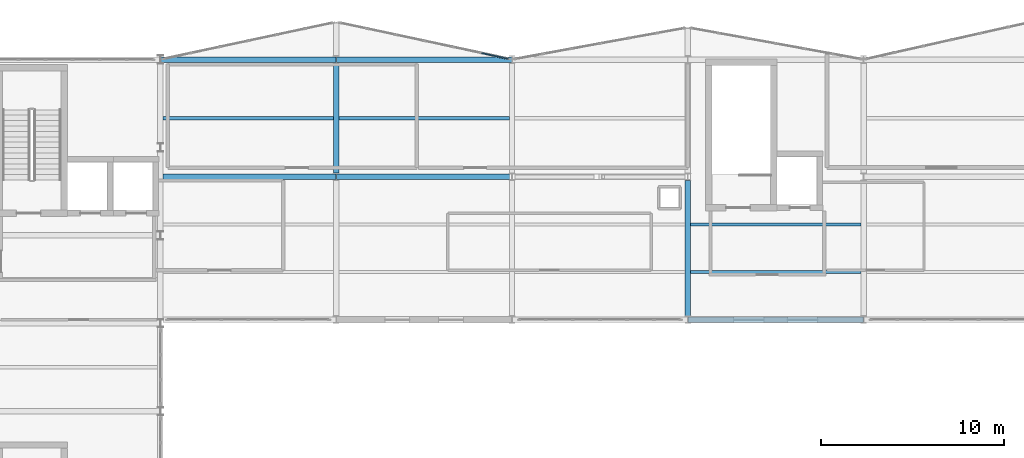
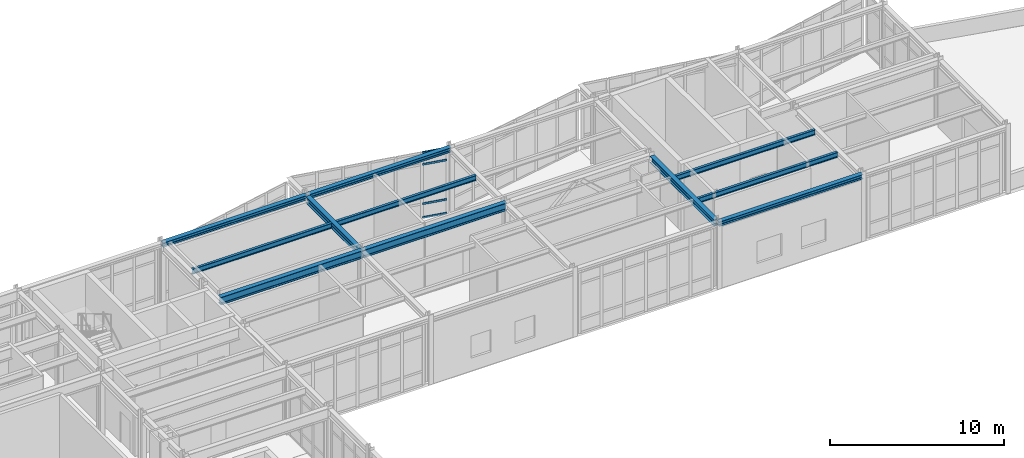
# One storey, part 11 of 28: 11 beams, 4 members, 1 element without a shape of its own.
"""IFC4 building model written with IfcOpenShell, lengths in metres."""

from ifc_helpers import new_model, si_unit, direction, frame, origin, origin_2d, place, context, subcontext, project, spatial, rectangle, i_section, extrude, material, layer, layer_set, material_profile, profile_set, type_object, element, aggregate, save


model = new_model("IFC4")

# Units and contexts
model_context = context("Model", 3, precision=1e-05, world=origin(), true_north=direction((0.0, 1.0)))
body_context = subcontext(model_context, "Body", "Model", "MODEL_VIEW")
ifc_project = project(units=[si_unit("LENGTHUNIT", "METRE"), si_unit("AREAUNIT", "SQUARE_METRE"), si_unit("VOLUMEUNIT", "CUBIC_METRE"), si_unit("PLANEANGLEUNIT", "RADIAN"), si_unit("MASSUNIT", "GRAM", prefix="KILO")], contexts=[model_context])

# Site, building, storey
site_placement = place(None, origin())
site = spatial("IfcSite", under=ifc_project, at=site_placement, CompositionType="ELEMENT")
building_placement = place(site_placement, origin())
building = spatial("IfcBuilding", under=site, at=building_placement, Name="Nordkorset Police Headquarters", CompositionType="ELEMENT")
storey_placement = place(building_placement, frame((0.0, 0.0, 26.25)))
storey = spatial("IfcBuildingStorey", under=building, at=storey_placement, Name="L06", CompositionType="ELEMENT", Elevation=26.25)

# Beams
ifc_material_1 = material(Name="Steel S355J2", Category="steel")
ifc_material_profile_1 = material_profile(ifc_material_1, i_section(OverallWidth=0.169921875, OverallDepth=0.360107421875, WebThickness=0.008056640625, FlangeThickness=0.0126953125, FilletRadius=0.01806640625, at=origin_2d()), Name="IPE 360")
ifc_profile_set_1 = profile_set([ifc_material_profile_1], Name="Steel S355J2")
beam_type_1 = type_object("IfcBeamType", Name="Beam_IPE_360", PredefinedType="BEAM", material=ifc_profile_set_1)
for number, where, z_axis, x_axis, name in (
    (1, (28.949951171875, 113.60009765625, 4.485107421875), (1.0, 0.0, 0.0), (0.0, 1.0, 0.0), "Composite Floor Beam V2 L06 0-1-1"),
    (2, (38.550048828125, 113.60009765625, 4.485107421875), (1.0, 0.0, 0.0), (0.0, 1.0, 0.0), "Composite Floor Beam V2 L06 1-1-1"),
    (3, (57.75, 105.199951171875, 4.485107421875), (1.0, 0.0, 0.0), (0.0, 1.0, 0.0), "Composite Floor Beam V2 L06 3-0-1"),
    (4, (57.75, 107.800048828125, 4.485107421875), (1.0, 0.0, 0.0), (0.0, 1.0, 0.0), "Composite Floor Beam V2 L06 3-0-2"),
):
    element("IfcBeam", number, at=place(storey_placement, frame(where, z_axis=z_axis, x_axis=x_axis)), inside=storey, type_object=beam_type_1, Name=name, PredefinedType="BEAM", context=body_context, shape_type="SweptSolid", body=[
        extrude(i_section(OverallWidth=0.169921875, OverallDepth=0.360107421875, WebThickness=0.008056640625, FlangeThickness=0.0126953125, FilletRadius=0.01806640625, at=origin_2d()), origin(), (0.0, 0.0, 1.0), 9.300048828125),
    ])

# Curtain wall, members
ifc_material_2 = material(Name="Aluminium alloy AW-6060", Category="aluminium")
ifc_layer = layer(ifc_material_2, 0.179931640625, Name="Aluminium alloy AW-6060")
ifc_layer_set = layer_set([ifc_layer], Name="Aluminium alloy AW-6060")
curtain_wall_type = type_object("IfcCurtainWallType", Name="CW_Unit_954x462", PredefinedType="USERDEFINED", material=ifc_layer_set)
curtain_wall_placement = place(storey_placement, origin())
curtain_wall = element("IfcCurtainWall", 5, at=curtain_wall_placement, inside=storey, type_object=curtain_wall_type, Name="Unitised Curtain Wall L06 V2N-1", ObjectType="UNITISED CURTAIN WALL", PredefinedType="USERDEFINED")
ifc_material_3 = material(Name="Aluminium alloy AW-6060", Category="aluminium")
ifc_material_profile_2 = material_profile(ifc_material_3, rectangle(XDim=0.06494140625, YDim=0.139892578125, at=origin_2d()), Name="ALU TRAN 65x140")
ifc_profile_set_2 = profile_set([ifc_material_profile_2], Name="Aluminium alloy AW-6060")
member_type = type_object("IfcMemberType", Name="CW_Transom_65x140", PredefinedType="USERDEFINED", material=ifc_profile_set_2)
member_1_placement = place(storey_placement, frame((46.340576171875, 117.154296875, 0.032470703125), z_axis=(0.977955422008, -0.208813774846, 0.0), x_axis=(0.208813774846, 0.977955422008, 0.0)))
member_1 = element("IfcMember", 6, at=member_1_placement, type_object=member_type, Name="CW-88 transom 6.1", ObjectType="TRANSOM", PredefinedType="USERDEFINED", context=body_context, shape_type="SweptSolid", body=[
    extrude(rectangle(XDim=0.06494140625, YDim=0.139892578125, at=origin_2d()), origin(), (0.0, 0.0, 1.0), 1.491943359375),
])
member_2_placement = place(storey_placement, frame((46.340576171875, 117.154296875, 1.0), z_axis=(0.977955422008, -0.208813774846, 0.0), x_axis=(0.208813774846, 0.977955422008, 0.0)))
member_2 = element("IfcMember", 7, at=member_2_placement, type_object=member_type, Name="CW-88 transom 6.2", ObjectType="TRANSOM", PredefinedType="USERDEFINED", context=body_context, shape_type="SweptSolid", body=[
    extrude(rectangle(XDim=0.06494140625, YDim=0.139892578125, at=origin_2d()), origin(), (0.0, 0.0, 1.0), 1.491943359375),
])
member_3_placement = place(storey_placement, frame((46.340576171875, 117.154296875, 3.77001953125), z_axis=(0.977955422008, -0.208813774846, 0.0), x_axis=(0.208813774846, 0.977955422008, 0.0)))
member_3 = element("IfcMember", 8, at=member_3_placement, type_object=member_type, Name="CW-88 transom 6.3", ObjectType="TRANSOM", PredefinedType="USERDEFINED", context=body_context, shape_type="SweptSolid", body=[
    extrude(rectangle(XDim=0.06494140625, YDim=0.139892578125, at=origin_2d()), origin(), (0.0, 0.0, 1.0), 1.491943359375),
])
member_4_placement = place(storey_placement, frame((46.340576171875, 117.154296875, 4.58740234375), z_axis=(0.977955422008, -0.208813774846, 0.0), x_axis=(0.208813774846, 0.977955422008, 0.0)))
member_4 = element("IfcMember", 9, at=member_4_placement, type_object=member_type, Name="CW-88 transom 6.4", ObjectType="TRANSOM", PredefinedType="USERDEFINED", context=body_context, shape_type="SweptSolid", body=[
    extrude(rectangle(XDim=0.06494140625, YDim=0.139892578125, at=origin_2d()), origin(), (0.0, 0.0, 1.0), 1.491943359375),
])
aggregate(curtain_wall, [member_1, member_2, member_3, member_4])

# Beams
ifc_material_4 = material(Name="Steel S355J2", Category="steel")
ifc_material_profile_3 = material_profile(ifc_material_4, i_section(OverallWidth=0.300048828125, OverallDepth=0.43994140625, WebThickness=0.011474609375, FlangeThickness=0.02099609375, FilletRadius=0.027099609375, at=origin_2d()), Name="HEA 450")
ifc_profile_set_3 = profile_set([ifc_material_profile_3], Name="Steel S355J2")
beam_type_2 = type_object("IfcBeamType", Name="Girder_HEA_450", PredefinedType="USERDEFINED", material=ifc_profile_set_3)
beam_1_placement = place(storey_placement, frame((38.39990234375, 110.60009765625, 4.445068359375), z_axis=(0.0, 1.0, 0.0), x_axis=(-1.0, 0.0, 0.0)))
element("IfcBeam", 10, at=beam_1_placement, inside=storey, type_object=beam_type_2, Name="Girder V2 L06 GY-1-1", ObjectType="GIRDER", PredefinedType="USERDEFINED", context=body_context, shape_type="SweptSolid", body=[
    extrude(i_section(OverallWidth=0.300048828125, OverallDepth=0.43994140625, WebThickness=0.011474609375, FlangeThickness=0.02099609375, FilletRadius=0.027099609375, at=origin_2d()), origin(), (0.0, 0.0, 1.0), 6.0),
])
beam_2_placement = place(storey_placement, frame((57.60009765625, 102.800048828125, 4.445068359375), z_axis=(0.0, 1.0, 0.0), x_axis=(-1.0, 0.0, 0.0)))
element("IfcBeam", 11, at=beam_2_placement, inside=storey, type_object=beam_type_2, Name="Girder V2 L06 GY-3-0", ObjectType="GIRDER", PredefinedType="USERDEFINED", context=body_context, shape_type="SweptSolid", body=[
    extrude(i_section(OverallWidth=0.300048828125, OverallDepth=0.43994140625, WebThickness=0.011474609375, FlangeThickness=0.02099609375, FilletRadius=0.027099609375, at=origin_2d()), origin(), (0.0, 0.0, 1.0), 7.39990234375),
])
ifc_material_5 = material(Name="Steel S355J2", Category="steel")
ifc_material_profile_4 = material_profile(ifc_material_5, i_section(OverallWidth=0.300048828125, OverallDepth=0.5400390625, WebThickness=0.012451171875, FlangeThickness=0.02392578125, FilletRadius=0.027099609375, at=origin_2d()), Name="HEA 550")
ifc_profile_set_4 = profile_set([ifc_material_profile_4], Name="Steel S355J2")
beam_type_3 = type_object("IfcBeamType", Name="Girder_HEA_550", PredefinedType="USERDEFINED", material=ifc_profile_set_4)
beam_3_placement = place(storey_placement, frame((28.949951171875, 110.39990234375, 4.39501953125), z_axis=(1.0, 0.0, 0.0), x_axis=(0.0, 1.0, 0.0)))
element("IfcBeam", 12, at=beam_3_placement, inside=storey, type_object=beam_type_3, Name="Girder V2 L06 GX-1-0", ObjectType="GIRDER", PredefinedType="USERDEFINED", context=body_context, shape_type="SweptSolid", body=[
    extrude(i_section(OverallWidth=0.300048828125, OverallDepth=0.5400390625, WebThickness=0.012451171875, FlangeThickness=0.02392578125, FilletRadius=0.027099609375, at=origin_2d()), origin(), (0.0, 0.0, 1.0), 9.443359375),
])
beam_4_placement = place(storey_placement, frame((38.40673828125, 110.39990234375, 4.39501953125), z_axis=(1.0, 0.0, 0.0), x_axis=(0.0, 1.0, 0.0)))
element("IfcBeam", 13, at=beam_4_placement, inside=storey, type_object=beam_type_3, Name="Girder V2 L06 GX-1-1", ObjectType="GIRDER", PredefinedType="USERDEFINED", context=body_context, shape_type="SweptSolid", body=[
    extrude(i_section(OverallWidth=0.300048828125, OverallDepth=0.5400390625, WebThickness=0.012451171875, FlangeThickness=0.02392578125, FilletRadius=0.027099609375, at=origin_2d()), origin(), (0.0, 0.0, 1.0), 9.586669921875),
])
ifc_material_6 = material(Name="Steel S355J2", Category="steel")
ifc_material_profile_5 = material_profile(ifc_material_6, i_section(OverallWidth=0.300048828125, OverallDepth=0.31005859375, WebThickness=0.009033203125, FlangeThickness=0.015380859375, FilletRadius=0.027099609375, at=origin_2d()), Name="HEA 320")
ifc_profile_set_5 = profile_set([ifc_material_profile_5], Name="Steel S355J2")
beam_type_4 = type_object("IfcBeamType", Name="Spandrel_HEA_320", PredefinedType="SPANDREL", material=ifc_profile_set_5)
beam_5_placement = place(storey_placement, frame((57.606689453125, 102.60009765625, 4.510009765625), z_axis=(1.0, 0.0, 0.0), x_axis=(0.0, 1.0, 0.0)))
element("IfcBeam", 14, at=beam_5_placement, inside=storey, type_object=beam_type_4, Name="Girder V2 L06 GX-0-3", PredefinedType="SPANDREL", context=body_context, shape_type="SweptSolid", body=[
    extrude(i_section(OverallWidth=0.300048828125, OverallDepth=0.31005859375, WebThickness=0.009033203125, FlangeThickness=0.015380859375, FilletRadius=0.027099609375, at=origin_2d()), origin(), (0.0, 0.0, 1.0), 9.586669921875),
])
beam_6_placement = place(storey_placement, frame((28.806884765625, 116.800048828125, 4.510009765625), z_axis=(1.0, 0.0, 0.0), x_axis=(0.0, 1.0, 0.0)))
element("IfcBeam", 15, at=beam_6_placement, inside=storey, type_object=beam_type_4, Name="Girder V2 L06 GX-2-0", PredefinedType="SPANDREL", context=body_context, shape_type="SweptSolid", body=[
    extrude(i_section(OverallWidth=0.300048828125, OverallDepth=0.31005859375, WebThickness=0.009033203125, FlangeThickness=0.015380859375, FilletRadius=0.027099609375, at=origin_2d()), origin(), (0.0, 0.0, 1.0), 9.58642578125),
])
beam_7_placement = place(storey_placement, frame((38.40673828125, 116.800048828125, 4.510009765625), z_axis=(1.0, 0.0, 0.0), x_axis=(0.0, 1.0, 0.0)))
element("IfcBeam", 16, at=beam_7_placement, inside=storey, type_object=beam_type_4, Name="Girder V2 L06 GX-2-1", PredefinedType="SPANDREL", context=body_context, shape_type="SweptSolid", body=[
    extrude(i_section(OverallWidth=0.300048828125, OverallDepth=0.31005859375, WebThickness=0.009033203125, FlangeThickness=0.015380859375, FilletRadius=0.027099609375, at=origin_2d()), origin(), (0.0, 0.0, 1.0), 9.586669921875),
])

save(model, "model.ifc")
